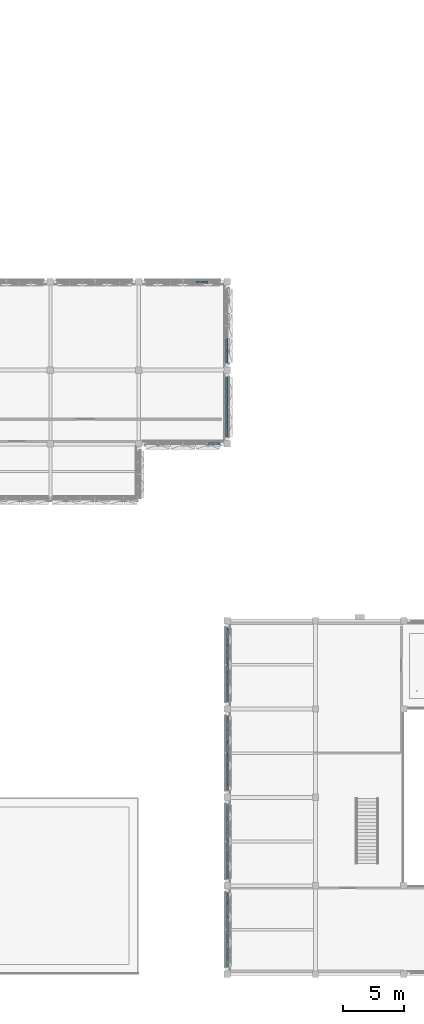
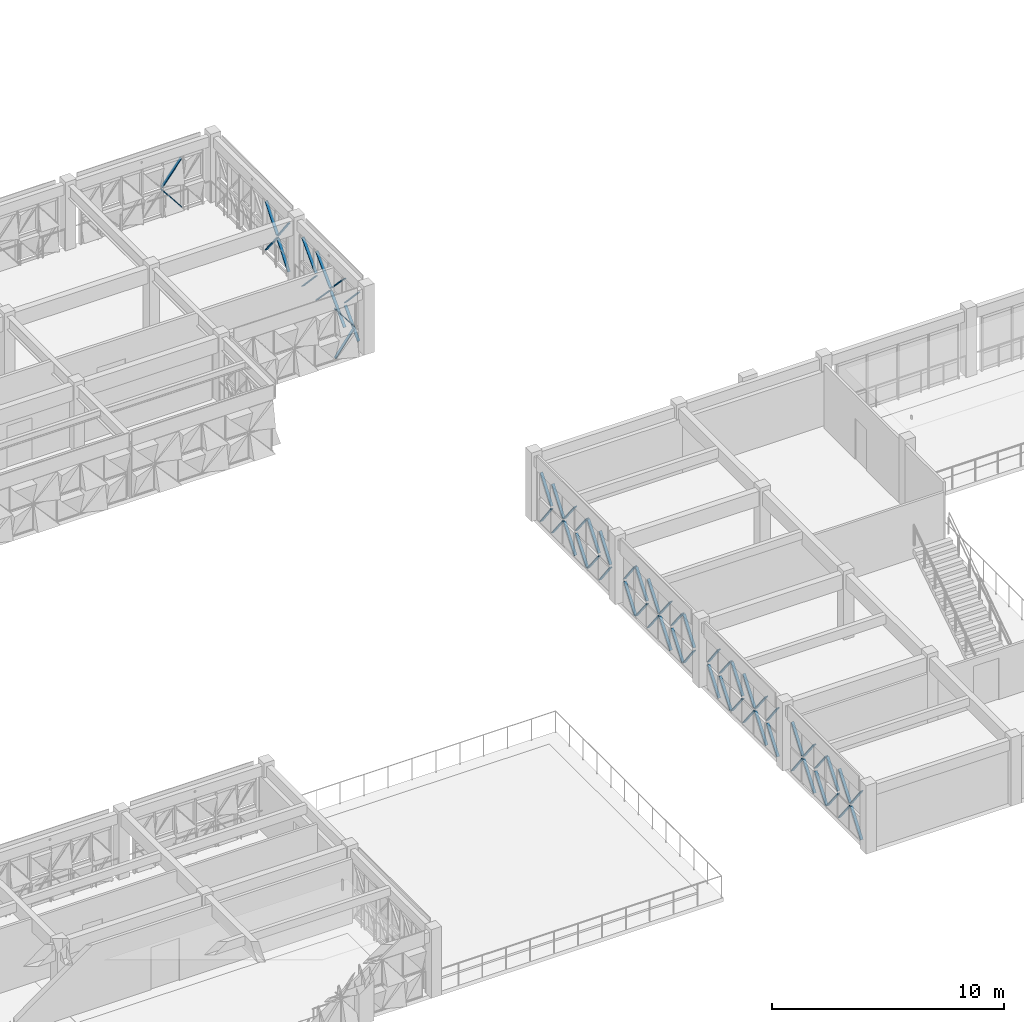
# One storey, part 62 of 99: 64 discrete accessories.
"""IFC4 building model written with IfcOpenShell, lengths in metres."""

from ifc_helpers import new_model, si_unit, direction, frame, origin, origin_2d, place, context, subcontext, project, spatial, rectangle, extrude, material, type_object, element, save


model = new_model("IFC4")

# Units and contexts
model_context = context("Model", 3, precision=1e-05, world=origin(), true_north=direction((0.0, 1.0)))
body_context = subcontext(model_context, "Body", "Model", "MODEL_VIEW")
ifc_project = project(units=[si_unit("LENGTHUNIT", "METRE"), si_unit("AREAUNIT", "SQUARE_METRE"), si_unit("VOLUMEUNIT", "CUBIC_METRE"), si_unit("PLANEANGLEUNIT", "RADIAN"), si_unit("MASSUNIT", "GRAM", prefix="KILO")], contexts=[model_context])

# Site, building, storey
site_placement = place(None, origin())
site = spatial("IfcSite", under=ifc_project, at=site_placement, CompositionType="ELEMENT")
building_placement = place(site_placement, origin())
building = spatial("IfcBuilding", under=site, at=building_placement, Name="Alvorim Cloister Faculty of Sciences", CompositionType="ELEMENT")
storey_placement = place(building_placement, frame((0.0, 0.0, 12.14990234375)))
storey = spatial("IfcBuildingStorey", under=building, at=storey_placement, Name="L03", CompositionType="ELEMENT", Elevation=12.14990234375)

# Discrete accessories
ifc_material = material(Name="Aluminium Alloy 6063-T6", Category="aluminium")
discrete_accessory_type = type_object("IfcDiscreteAccessoryType", Name="ACC-DIAG-BAR", PredefinedType="BRACKET", material=ifc_material)
discrete_accessory_1_placement = place(storey_placement, frame((62.25244140625, 56.37744140625, 1.35498046875), z_axis=(0.618031836495, -0.00647732753, -0.786126385072), x_axis=(0.010479997039, 0.999945083323, 0.0)))
element("IfcDiscreteAccessory", 1, at=discrete_accessory_1_placement, inside=storey, type_object=discrete_accessory_type, Name="Diagonal Cassette Glazing Bracket ACC-01391", PredefinedType="BRACKET", context=body_context, shape_type="SweptSolid", body=[
    extrude(rectangle(XDim=0.139892578125, YDim=0.044921875, at=origin_2d()), origin(), (0.0, 0.0, 1.0), 1.54541015625),
])
discrete_accessory_2_placement = place(storey_placement, frame((62.25244140625, 56.37744140625, 1.4951171875), z_axis=(0.617955086572, -0.006476523147, 0.786186724404), x_axis=(0.010479997039, 0.999945083323, 0.0)))
element("IfcDiscreteAccessory", 2, at=discrete_accessory_2_placement, inside=storey, type_object=discrete_accessory_type, Name="Diagonal Cassette Glazing Bracket ACC-01392", PredefinedType="BRACKET", context=body_context, shape_type="SweptSolid", body=[
    extrude(rectangle(XDim=0.139892578125, YDim=0.044921875, at=origin_2d()), origin(), (0.0, 0.0, 1.0), 1.545654296875),
])
discrete_accessory_3_placement = place(storey_placement, frame((64.777587890625, 49.804931640625, 0.14013671875), z_axis=(-0.006561629754, 0.604790215644, 0.796357796519), x_axis=(-0.999941150118, -0.010848792579, 0.0)))
element("IfcDiscreteAccessory", 3, at=discrete_accessory_3_placement, inside=storey, type_object=discrete_accessory_type, Name="Diagonal Cassette Glazing Bracket ACC-01396", PredefinedType="BRACKET", context=body_context, shape_type="SweptSolid", body=[
    extrude(rectangle(XDim=0.139892578125, YDim=0.044921875, at=origin_2d()), origin(), (0.0, 0.0, 1.0), 1.525390625),
])
discrete_accessory_4_placement = place(storey_placement, frame((64.777587890625, 49.804931640625, 2.710205078125), z_axis=(-0.006560793558, 0.604713142785, -0.796416330151), x_axis=(-0.999941150118, -0.010848792579, 0.0)))
element("IfcDiscreteAccessory", 4, at=discrete_accessory_4_placement, inside=storey, type_object=discrete_accessory_type, Name="Diagonal Cassette Glazing Bracket ACC-01397", PredefinedType="BRACKET", context=body_context, shape_type="SweptSolid", body=[
    extrude(rectangle(XDim=0.139892578125, YDim=0.044921875, at=origin_2d()), origin(), (0.0, 0.0, 1.0), 1.525634765625),
])
discrete_accessory_5_placement = place(storey_placement, frame((64.777587890625, 50.79248046875, 1.35498046875), z_axis=(-0.00647732753, 0.618031836495, -0.786126385072), x_axis=(-0.999945083323, -0.010479997039, 0.0)))
element("IfcDiscreteAccessory", 5, at=discrete_accessory_5_placement, inside=storey, type_object=discrete_accessory_type, Name="Diagonal Cassette Glazing Bracket ACC-01398", PredefinedType="BRACKET", context=body_context, shape_type="SweptSolid", body=[
    extrude(rectangle(XDim=0.139892578125, YDim=0.044921875, at=origin_2d()), origin(), (0.0, 0.0, 1.0), 1.54541015625),
])
discrete_accessory_6_placement = place(storey_placement, frame((64.777587890625, 50.79248046875, 1.4951171875), z_axis=(-0.006476523147, 0.617955086572, 0.786186724404), x_axis=(-0.999945083323, -0.010479997039, 0.0)))
element("IfcDiscreteAccessory", 6, at=discrete_accessory_6_placement, inside=storey, type_object=discrete_accessory_type, Name="Diagonal Cassette Glazing Bracket ACC-01399", PredefinedType="BRACKET", context=body_context, shape_type="SweptSolid", body=[
    extrude(rectangle(XDim=0.139892578125, YDim=0.044921875, at=origin_2d()), origin(), (0.0, 0.0, 1.0), 1.545654296875),
])
discrete_accessory_7_placement = place(storey_placement, frame((64.777587890625, 43.804931640625, 0.14013671875), z_axis=(-0.006026637726, 0.681892009975, 0.731428032256), x_axis=(-0.999960946179, -0.0088377665, 0.0)))
element("IfcDiscreteAccessory", 7, at=discrete_accessory_7_placement, inside=storey, type_object=discrete_accessory_type, Name="Diagonal Cassette Glazing Bracket ACC-01409", PredefinedType="BRACKET", context=body_context, shape_type="SweptSolid", body=[
    extrude(rectangle(XDim=0.139892578125, YDim=0.044921875, at=origin_2d()), origin(), (0.0, 0.0, 1.0), 1.660888671875),
])
discrete_accessory_8_placement = place(storey_placement, frame((64.777587890625, 43.804931640625, 2.710205078125), z_axis=(-0.00602598982, 0.681818701864, -0.731496374041), x_axis=(-0.999960946179, -0.0088377665, 0.0)))
element("IfcDiscreteAccessory", 8, at=discrete_accessory_8_placement, inside=storey, type_object=discrete_accessory_type, Name="Diagonal Cassette Glazing Bracket ACC-01410", PredefinedType="BRACKET", context=body_context, shape_type="SweptSolid", body=[
    extrude(rectangle(XDim=0.139892578125, YDim=0.044921875, at=origin_2d()), origin(), (0.0, 0.0, 1.0), 1.6611328125),
])
for number, where, z_axis, x_axis, name in (
    (9, (64.777587890625, 45.00244140625, 0.14013671875), (-0.005946762236, 0.692145107094, 0.721733875293), (-0.999963092655, -0.008591468315, 0.0), "Diagonal Cassette Glazing Bracket ACC-01411"),
    (10, (64.777587890625, 45.00244140625, 2.710205078125), (-0.00594613975, 0.692072655757, -0.721803354506), (-0.999963092655, -0.008591468315, 0.0), "Diagonal Cassette Glazing Bracket ACC-01412"),
    (11, (64.777587890625, 46.232421875, 1.35498046875), (-0.005946762236, 0.692145107094, -0.721733875293), (-0.999963092655, -0.008591468315, 0.0), "Diagonal Cassette Glazing Bracket ACC-01413"),
    (12, (64.777587890625, 46.232421875, 1.4951171875), (-0.00594613975, 0.692072655757, 0.721803354506), (-0.999963092655, -0.008591468315, 0.0), "Diagonal Cassette Glazing Bracket ACC-01414"),
):
    element("IfcDiscreteAccessory", number, at=place(storey_placement, frame(where, z_axis=z_axis, x_axis=x_axis)), inside=storey, type_object=discrete_accessory_type, Name=name, PredefinedType="BRACKET", context=body_context, shape_type="SweptSolid", body=[
        extrude(rectangle(XDim=0.139892578125, YDim=0.044921875, at=origin_2d()), origin(), (0.0, 0.0, 1.0), 1.683349609375),
    ])
discrete_accessory_9_placement = place(storey_placement, frame((64.777587890625, 47.46240234375, 1.35498046875), z_axis=(-0.006026637726, 0.681892009975, -0.731428032256), x_axis=(-0.999960946179, -0.0088377665, 0.0)))
element("IfcDiscreteAccessory", 13, at=discrete_accessory_9_placement, inside=storey, type_object=discrete_accessory_type, Name="Diagonal Cassette Glazing Bracket ACC-01415", PredefinedType="BRACKET", context=body_context, shape_type="SweptSolid", body=[
    extrude(rectangle(XDim=0.139892578125, YDim=0.044921875, at=origin_2d()), origin(), (0.0, 0.0, 1.0), 1.660888671875),
])
discrete_accessory_10_placement = place(storey_placement, frame((64.777587890625, 47.46240234375, 1.4951171875), z_axis=(-0.00602598982, 0.681818701864, 0.731496374041), x_axis=(-0.999960946179, -0.0088377665, 0.0)))
element("IfcDiscreteAccessory", 14, at=discrete_accessory_10_placement, inside=storey, type_object=discrete_accessory_type, Name="Diagonal Cassette Glazing Bracket ACC-01416", PredefinedType="BRACKET", context=body_context, shape_type="SweptSolid", body=[
    extrude(rectangle(XDim=0.139892578125, YDim=0.044921875, at=origin_2d()), origin(), (0.0, 0.0, 1.0), 1.6611328125),
])
discrete_accessory_11_placement = place(storey_placement, frame((63.2724609375, 43.222412109375, 0.14013671875), z_axis=(0.604790215644, 0.006561629754, 0.796357796519), x_axis=(-0.010848792579, 0.999941150118, 0.0)))
element("IfcDiscreteAccessory", 15, at=discrete_accessory_11_placement, inside=storey, type_object=discrete_accessory_type, Name="Diagonal Cassette Glazing Bracket ACC-01428", PredefinedType="BRACKET", context=body_context, shape_type="SweptSolid", body=[
    extrude(rectangle(XDim=0.139892578125, YDim=0.044921875, at=origin_2d()), origin(), (0.0, 0.0, 1.0), 1.525390625),
])
discrete_accessory_12_placement = place(storey_placement, frame((63.2724609375, 43.222412109375, 2.710205078125), z_axis=(0.604713142785, 0.006560793558, -0.796416330151), x_axis=(-0.010848792579, 0.999941150118, 0.0)))
element("IfcDiscreteAccessory", 16, at=discrete_accessory_12_placement, inside=storey, type_object=discrete_accessory_type, Name="Diagonal Cassette Glazing Bracket ACC-01429", PredefinedType="BRACKET", context=body_context, shape_type="SweptSolid", body=[
    extrude(rectangle(XDim=0.139892578125, YDim=0.044921875, at=origin_2d()), origin(), (0.0, 0.0, 1.0), 1.525634765625),
])
discrete_accessory_13_placement = place(storey_placement, frame((64.822509765625, 0.60498046875, 0.14013671875), z_axis=(0.006561629754, 0.604790215644, 0.796357796519), x_axis=(-0.999941150118, 0.010848792579, 0.0)))
element("IfcDiscreteAccessory", 17, at=discrete_accessory_13_placement, inside=storey, type_object=discrete_accessory_type, Name="Diagonal Cassette Glazing Bracket ACC-01701", PredefinedType="BRACKET", context=body_context, shape_type="SweptSolid", body=[
    extrude(rectangle(XDim=0.139892578125, YDim=0.044921875, at=origin_2d()), origin(), (0.0, 0.0, 1.0), 1.525390625),
])
discrete_accessory_14_placement = place(storey_placement, frame((64.822509765625, 0.60498046875, 2.710205078125), z_axis=(0.006560793558, 0.604713142785, -0.796416330151), x_axis=(-0.999941150118, 0.010848792579, 0.0)))
element("IfcDiscreteAccessory", 18, at=discrete_accessory_14_placement, inside=storey, type_object=discrete_accessory_type, Name="Diagonal Cassette Glazing Bracket ACC-01702", PredefinedType="BRACKET", context=body_context, shape_type="SweptSolid", body=[
    extrude(rectangle(XDim=0.139892578125, YDim=0.044921875, at=origin_2d()), origin(), (0.0, 0.0, 1.0), 1.525634765625),
])
discrete_accessory_15_placement = place(storey_placement, frame((64.822509765625, 1.592529296875, 1.35498046875), z_axis=(0.00647732753, 0.618031836495, -0.786126385072), x_axis=(-0.999945083323, 0.010479997039, 0.0)))
element("IfcDiscreteAccessory", 19, at=discrete_accessory_15_placement, inside=storey, type_object=discrete_accessory_type, Name="Diagonal Cassette Glazing Bracket ACC-01703", PredefinedType="BRACKET", context=body_context, shape_type="SweptSolid", body=[
    extrude(rectangle(XDim=0.139892578125, YDim=0.044921875, at=origin_2d()), origin(), (0.0, 0.0, 1.0), 1.54541015625),
])
discrete_accessory_16_placement = place(storey_placement, frame((64.822509765625, 1.592529296875, 1.4951171875), z_axis=(0.006476523147, 0.617955086572, 0.786186724404), x_axis=(-0.999945083323, 0.010479997039, 0.0)))
element("IfcDiscreteAccessory", 20, at=discrete_accessory_16_placement, inside=storey, type_object=discrete_accessory_type, Name="Diagonal Cassette Glazing Bracket ACC-01704", PredefinedType="BRACKET", context=body_context, shape_type="SweptSolid", body=[
    extrude(rectangle(XDim=0.139892578125, YDim=0.044921875, at=origin_2d()), origin(), (0.0, 0.0, 1.0), 1.545654296875),
])
discrete_accessory_17_placement = place(storey_placement, frame((64.822509765625, 2.612548828125, 1.35498046875), z_axis=(0.006477959981, 0.61793418254, -0.786203143012), x_axis=(-0.999945055239, 0.010482676365, 0.0)))
element("IfcDiscreteAccessory", 21, at=discrete_accessory_17_placement, inside=storey, type_object=discrete_accessory_type, Name="Diagonal Cassette Glazing Bracket ACC-01705", PredefinedType="BRACKET", context=body_context, shape_type="SweptSolid", body=[
    extrude(rectangle(XDim=0.139892578125, YDim=0.044921875, at=origin_2d()), origin(), (0.0, 0.0, 1.0), 1.545166015625),
])
discrete_accessory_18_placement = place(storey_placement, frame((64.822509765625, 2.612548828125, 1.4951171875), z_axis=(0.006477155362, 0.61785742976, 0.786263469168), x_axis=(-0.999945055239, 0.010482676365, 0.0)))
element("IfcDiscreteAccessory", 22, at=discrete_accessory_18_placement, inside=storey, type_object=discrete_accessory_type, Name="Diagonal Cassette Glazing Bracket ACC-01706", PredefinedType="BRACKET", context=body_context, shape_type="SweptSolid", body=[
    extrude(rectangle(XDim=0.139892578125, YDim=0.044921875, at=origin_2d()), origin(), (0.0, 0.0, 1.0), 1.54541015625),
])
discrete_accessory_19_placement = place(storey_placement, frame((64.822509765625, 3.632568359375, 0.14013671875), z_axis=(0.006477959981, 0.61793418254, 0.786203143012), x_axis=(-0.999945055239, 0.010482676365, 0.0)))
element("IfcDiscreteAccessory", 23, at=discrete_accessory_19_placement, inside=storey, type_object=discrete_accessory_type, Name="Diagonal Cassette Glazing Bracket ACC-01707", PredefinedType="BRACKET", context=body_context, shape_type="SweptSolid", body=[
    extrude(rectangle(XDim=0.139892578125, YDim=0.044921875, at=origin_2d()), origin(), (0.0, 0.0, 1.0), 1.545166015625),
])
discrete_accessory_20_placement = place(storey_placement, frame((64.822509765625, 3.632568359375, 2.710205078125), z_axis=(0.006477155362, 0.61785742976, -0.786263469168), x_axis=(-0.999945055239, 0.010482676365, 0.0)))
element("IfcDiscreteAccessory", 24, at=discrete_accessory_20_placement, inside=storey, type_object=discrete_accessory_type, Name="Diagonal Cassette Glazing Bracket ACC-01708", PredefinedType="BRACKET", context=body_context, shape_type="SweptSolid", body=[
    extrude(rectangle(XDim=0.139892578125, YDim=0.044921875, at=origin_2d()), origin(), (0.0, 0.0, 1.0), 1.54541015625),
])
discrete_accessory_21_placement = place(storey_placement, frame((64.822509765625, 4.652587890625, 0.14013671875), z_axis=(0.006477959981, 0.61793418254, 0.786203143012), x_axis=(-0.999945055239, 0.010482676365, 0.0)))
element("IfcDiscreteAccessory", 25, at=discrete_accessory_21_placement, inside=storey, type_object=discrete_accessory_type, Name="Diagonal Cassette Glazing Bracket ACC-01709", PredefinedType="BRACKET", context=body_context, shape_type="SweptSolid", body=[
    extrude(rectangle(XDim=0.139892578125, YDim=0.044921875, at=origin_2d()), origin(), (0.0, 0.0, 1.0), 1.545166015625),
])
discrete_accessory_22_placement = place(storey_placement, frame((64.822509765625, 4.652587890625, 2.710205078125), z_axis=(0.006477155362, 0.61785742976, -0.786263469168), x_axis=(-0.999945055239, 0.010482676365, 0.0)))
element("IfcDiscreteAccessory", 26, at=discrete_accessory_22_placement, inside=storey, type_object=discrete_accessory_type, Name="Diagonal Cassette Glazing Bracket ACC-01710", PredefinedType="BRACKET", context=body_context, shape_type="SweptSolid", body=[
    extrude(rectangle(XDim=0.139892578125, YDim=0.044921875, at=origin_2d()), origin(), (0.0, 0.0, 1.0), 1.54541015625),
])
discrete_accessory_23_placement = place(storey_placement, frame((64.822509765625, 5.672607421875, 1.35498046875), z_axis=(0.006562264866, 0.604688699088, -0.796434877359), x_axis=(-0.999941118963, 0.010851663811, 0.0)))
element("IfcDiscreteAccessory", 27, at=discrete_accessory_23_placement, inside=storey, type_object=discrete_accessory_type, Name="Diagonal Cassette Glazing Bracket ACC-01711", PredefinedType="BRACKET", context=body_context, shape_type="SweptSolid", body=[
    extrude(rectangle(XDim=0.139892578125, YDim=0.044921875, at=origin_2d()), origin(), (0.0, 0.0, 1.0), 1.525390625),
])
discrete_accessory_24_placement = place(storey_placement, frame((64.822509765625, 5.672607421875, 1.4951171875), z_axis=(0.006561428426, 0.604611624251, 0.796493397008), x_axis=(-0.999941118963, 0.010851663811, 0.0)))
element("IfcDiscreteAccessory", 28, at=discrete_accessory_24_placement, inside=storey, type_object=discrete_accessory_type, Name="Diagonal Cassette Glazing Bracket ACC-01712", PredefinedType="BRACKET", context=body_context, shape_type="SweptSolid", body=[
    extrude(rectangle(XDim=0.139892578125, YDim=0.044921875, at=origin_2d()), origin(), (0.0, 0.0, 1.0), 1.525634765625),
])
discrete_accessory_25_placement = place(storey_placement, frame((64.822509765625, 7.804931640625, 0.14013671875), z_axis=(0.006561629754, 0.604790215644, 0.796357796519), x_axis=(-0.999941150118, 0.010848792579, 0.0)))
element("IfcDiscreteAccessory", 29, at=discrete_accessory_25_placement, inside=storey, type_object=discrete_accessory_type, Name="Diagonal Cassette Glazing Bracket ACC-01714", PredefinedType="BRACKET", context=body_context, shape_type="SweptSolid", body=[
    extrude(rectangle(XDim=0.139892578125, YDim=0.044921875, at=origin_2d()), origin(), (0.0, 0.0, 1.0), 1.525390625),
])
discrete_accessory_26_placement = place(storey_placement, frame((64.822509765625, 7.804931640625, 2.710205078125), z_axis=(0.006560793558, 0.604713142785, -0.796416330151), x_axis=(-0.999941150118, 0.010848792579, 0.0)))
element("IfcDiscreteAccessory", 30, at=discrete_accessory_26_placement, inside=storey, type_object=discrete_accessory_type, Name="Diagonal Cassette Glazing Bracket ACC-01715", PredefinedType="BRACKET", context=body_context, shape_type="SweptSolid", body=[
    extrude(rectangle(XDim=0.139892578125, YDim=0.044921875, at=origin_2d()), origin(), (0.0, 0.0, 1.0), 1.525634765625),
])
discrete_accessory_27_placement = place(storey_placement, frame((64.822509765625, 8.79248046875, 0.14013671875), z_axis=(0.00647732753, 0.618031836495, 0.786126385072), x_axis=(-0.999945083323, 0.010479997039, 0.0)))
element("IfcDiscreteAccessory", 31, at=discrete_accessory_27_placement, inside=storey, type_object=discrete_accessory_type, Name="Diagonal Cassette Glazing Bracket ACC-01716", PredefinedType="BRACKET", context=body_context, shape_type="SweptSolid", body=[
    extrude(rectangle(XDim=0.139892578125, YDim=0.044921875, at=origin_2d()), origin(), (0.0, 0.0, 1.0), 1.54541015625),
])
discrete_accessory_28_placement = place(storey_placement, frame((64.822509765625, 8.79248046875, 2.710205078125), z_axis=(0.006476523147, 0.617955086572, -0.786186724404), x_axis=(-0.999945083323, 0.010479997039, 0.0)))
element("IfcDiscreteAccessory", 32, at=discrete_accessory_28_placement, inside=storey, type_object=discrete_accessory_type, Name="Diagonal Cassette Glazing Bracket ACC-01717", PredefinedType="BRACKET", context=body_context, shape_type="SweptSolid", body=[
    extrude(rectangle(XDim=0.139892578125, YDim=0.044921875, at=origin_2d()), origin(), (0.0, 0.0, 1.0), 1.545654296875),
])
discrete_accessory_29_placement = place(storey_placement, frame((64.822509765625, 9.8125, 1.35498046875), z_axis=(0.00647732753, 0.618031836495, -0.786126385072), x_axis=(-0.999945083323, 0.010479997039, 0.0)))
element("IfcDiscreteAccessory", 33, at=discrete_accessory_29_placement, inside=storey, type_object=discrete_accessory_type, Name="Diagonal Cassette Glazing Bracket ACC-01718", PredefinedType="BRACKET", context=body_context, shape_type="SweptSolid", body=[
    extrude(rectangle(XDim=0.139892578125, YDim=0.044921875, at=origin_2d()), origin(), (0.0, 0.0, 1.0), 1.54541015625),
])
discrete_accessory_30_placement = place(storey_placement, frame((64.822509765625, 9.8125, 1.4951171875), z_axis=(0.006476523147, 0.617955086572, 0.786186724404), x_axis=(-0.999945083323, 0.010479997039, 0.0)))
element("IfcDiscreteAccessory", 34, at=discrete_accessory_30_placement, inside=storey, type_object=discrete_accessory_type, Name="Diagonal Cassette Glazing Bracket ACC-01719", PredefinedType="BRACKET", context=body_context, shape_type="SweptSolid", body=[
    extrude(rectangle(XDim=0.139892578125, YDim=0.044921875, at=origin_2d()), origin(), (0.0, 0.0, 1.0), 1.545654296875),
])
discrete_accessory_31_placement = place(storey_placement, frame((64.822509765625, 10.83251953125, 1.35498046875), z_axis=(0.00647732753, 0.618031836495, -0.786126385072), x_axis=(-0.999945083323, 0.010479997039, 0.0)))
element("IfcDiscreteAccessory", 35, at=discrete_accessory_31_placement, inside=storey, type_object=discrete_accessory_type, Name="Diagonal Cassette Glazing Bracket ACC-01720", PredefinedType="BRACKET", context=body_context, shape_type="SweptSolid", body=[
    extrude(rectangle(XDim=0.139892578125, YDim=0.044921875, at=origin_2d()), origin(), (0.0, 0.0, 1.0), 1.54541015625),
])
discrete_accessory_32_placement = place(storey_placement, frame((64.822509765625, 10.83251953125, 1.4951171875), z_axis=(0.006476523147, 0.617955086572, 0.786186724404), x_axis=(-0.999945083323, 0.010479997039, 0.0)))
element("IfcDiscreteAccessory", 36, at=discrete_accessory_32_placement, inside=storey, type_object=discrete_accessory_type, Name="Diagonal Cassette Glazing Bracket ACC-01721", PredefinedType="BRACKET", context=body_context, shape_type="SweptSolid", body=[
    extrude(rectangle(XDim=0.139892578125, YDim=0.044921875, at=origin_2d()), origin(), (0.0, 0.0, 1.0), 1.545654296875),
])
discrete_accessory_33_placement = place(storey_placement, frame((64.822509765625, 11.8525390625, 0.14013671875), z_axis=(0.00647732753, 0.618031836495, 0.786126385072), x_axis=(-0.999945083323, 0.010479997039, 0.0)))
element("IfcDiscreteAccessory", 37, at=discrete_accessory_33_placement, inside=storey, type_object=discrete_accessory_type, Name="Diagonal Cassette Glazing Bracket ACC-01722", PredefinedType="BRACKET", context=body_context, shape_type="SweptSolid", body=[
    extrude(rectangle(XDim=0.139892578125, YDim=0.044921875, at=origin_2d()), origin(), (0.0, 0.0, 1.0), 1.54541015625),
])
discrete_accessory_34_placement = place(storey_placement, frame((64.822509765625, 11.8525390625, 2.710205078125), z_axis=(0.006476523147, 0.617955086572, -0.786186724404), x_axis=(-0.999945083323, 0.010479997039, 0.0)))
element("IfcDiscreteAccessory", 38, at=discrete_accessory_34_placement, inside=storey, type_object=discrete_accessory_type, Name="Diagonal Cassette Glazing Bracket ACC-01723", PredefinedType="BRACKET", context=body_context, shape_type="SweptSolid", body=[
    extrude(rectangle(XDim=0.139892578125, YDim=0.044921875, at=origin_2d()), origin(), (0.0, 0.0, 1.0), 1.545654296875),
])
discrete_accessory_35_placement = place(storey_placement, frame((64.822509765625, 12.87255859375, 0.14013671875), z_axis=(0.006562264866, 0.604688699088, 0.796434877359), x_axis=(-0.999941118963, 0.010851663811, 0.0)))
element("IfcDiscreteAccessory", 39, at=discrete_accessory_35_placement, inside=storey, type_object=discrete_accessory_type, Name="Diagonal Cassette Glazing Bracket ACC-01724", PredefinedType="BRACKET", context=body_context, shape_type="SweptSolid", body=[
    extrude(rectangle(XDim=0.139892578125, YDim=0.044921875, at=origin_2d()), origin(), (0.0, 0.0, 1.0), 1.525390625),
])
discrete_accessory_36_placement = place(storey_placement, frame((64.822509765625, 12.87255859375, 2.710205078125), z_axis=(0.006561428426, 0.604611624251, -0.796493397008), x_axis=(-0.999941118963, 0.010851663811, 0.0)))
element("IfcDiscreteAccessory", 40, at=discrete_accessory_36_placement, inside=storey, type_object=discrete_accessory_type, Name="Diagonal Cassette Glazing Bracket ACC-01725", PredefinedType="BRACKET", context=body_context, shape_type="SweptSolid", body=[
    extrude(rectangle(XDim=0.139892578125, YDim=0.044921875, at=origin_2d()), origin(), (0.0, 0.0, 1.0), 1.525634765625),
])
discrete_accessory_37_placement = place(storey_placement, frame((64.822509765625, 15.0048828125, 1.35498046875), z_axis=(0.006561629754, 0.604790215644, -0.796357796519), x_axis=(-0.999941150118, 0.010848792579, 0.0)))
element("IfcDiscreteAccessory", 41, at=discrete_accessory_37_placement, inside=storey, type_object=discrete_accessory_type, Name="Diagonal Cassette Glazing Bracket ACC-01727", PredefinedType="BRACKET", context=body_context, shape_type="SweptSolid", body=[
    extrude(rectangle(XDim=0.139892578125, YDim=0.044921875, at=origin_2d()), origin(), (0.0, 0.0, 1.0), 1.525390625),
])
discrete_accessory_38_placement = place(storey_placement, frame((64.822509765625, 15.0048828125, 1.4951171875), z_axis=(0.006560793558, 0.604713142785, 0.796416330151), x_axis=(-0.999941150118, 0.010848792579, 0.0)))
element("IfcDiscreteAccessory", 42, at=discrete_accessory_38_placement, inside=storey, type_object=discrete_accessory_type, Name="Diagonal Cassette Glazing Bracket ACC-01728", PredefinedType="BRACKET", context=body_context, shape_type="SweptSolid", body=[
    extrude(rectangle(XDim=0.139892578125, YDim=0.044921875, at=origin_2d()), origin(), (0.0, 0.0, 1.0), 1.525634765625),
])
discrete_accessory_39_placement = place(storey_placement, frame((64.822509765625, 15.992431640625, 0.14013671875), z_axis=(0.00647732753, 0.618031836495, 0.786126385072), x_axis=(-0.999945083323, 0.010479997039, 0.0)))
element("IfcDiscreteAccessory", 43, at=discrete_accessory_39_placement, inside=storey, type_object=discrete_accessory_type, Name="Diagonal Cassette Glazing Bracket ACC-01729", PredefinedType="BRACKET", context=body_context, shape_type="SweptSolid", body=[
    extrude(rectangle(XDim=0.139892578125, YDim=0.044921875, at=origin_2d()), origin(), (0.0, 0.0, 1.0), 1.54541015625),
])
discrete_accessory_40_placement = place(storey_placement, frame((64.822509765625, 15.992431640625, 2.710205078125), z_axis=(0.006476523147, 0.617955086572, -0.786186724404), x_axis=(-0.999945083323, 0.010479997039, 0.0)))
element("IfcDiscreteAccessory", 44, at=discrete_accessory_40_placement, inside=storey, type_object=discrete_accessory_type, Name="Diagonal Cassette Glazing Bracket ACC-01730", PredefinedType="BRACKET", context=body_context, shape_type="SweptSolid", body=[
    extrude(rectangle(XDim=0.139892578125, YDim=0.044921875, at=origin_2d()), origin(), (0.0, 0.0, 1.0), 1.545654296875),
])
discrete_accessory_41_placement = place(storey_placement, frame((64.822509765625, 17.012451171875, 0.14013671875), z_axis=(0.00647732753, 0.618031836495, 0.786126385072), x_axis=(-0.999945083323, 0.010479997039, 0.0)))
element("IfcDiscreteAccessory", 45, at=discrete_accessory_41_placement, inside=storey, type_object=discrete_accessory_type, Name="Diagonal Cassette Glazing Bracket ACC-01731", PredefinedType="BRACKET", context=body_context, shape_type="SweptSolid", body=[
    extrude(rectangle(XDim=0.139892578125, YDim=0.044921875, at=origin_2d()), origin(), (0.0, 0.0, 1.0), 1.54541015625),
])
discrete_accessory_42_placement = place(storey_placement, frame((64.822509765625, 17.012451171875, 2.710205078125), z_axis=(0.006476523147, 0.617955086572, -0.786186724404), x_axis=(-0.999945083323, 0.010479997039, 0.0)))
element("IfcDiscreteAccessory", 46, at=discrete_accessory_42_placement, inside=storey, type_object=discrete_accessory_type, Name="Diagonal Cassette Glazing Bracket ACC-01732", PredefinedType="BRACKET", context=body_context, shape_type="SweptSolid", body=[
    extrude(rectangle(XDim=0.139892578125, YDim=0.044921875, at=origin_2d()), origin(), (0.0, 0.0, 1.0), 1.545654296875),
])
discrete_accessory_43_placement = place(storey_placement, frame((64.822509765625, 18.032470703125, 1.35498046875), z_axis=(0.00647732753, 0.618031836495, -0.786126385072), x_axis=(-0.999945083323, 0.010479997039, 0.0)))
element("IfcDiscreteAccessory", 47, at=discrete_accessory_43_placement, inside=storey, type_object=discrete_accessory_type, Name="Diagonal Cassette Glazing Bracket ACC-01733", PredefinedType="BRACKET", context=body_context, shape_type="SweptSolid", body=[
    extrude(rectangle(XDim=0.139892578125, YDim=0.044921875, at=origin_2d()), origin(), (0.0, 0.0, 1.0), 1.54541015625),
])
discrete_accessory_44_placement = place(storey_placement, frame((64.822509765625, 18.032470703125, 1.4951171875), z_axis=(0.006476523147, 0.617955086572, 0.786186724404), x_axis=(-0.999945083323, 0.010479997039, 0.0)))
element("IfcDiscreteAccessory", 48, at=discrete_accessory_44_placement, inside=storey, type_object=discrete_accessory_type, Name="Diagonal Cassette Glazing Bracket ACC-01734", PredefinedType="BRACKET", context=body_context, shape_type="SweptSolid", body=[
    extrude(rectangle(XDim=0.139892578125, YDim=0.044921875, at=origin_2d()), origin(), (0.0, 0.0, 1.0), 1.545654296875),
])
discrete_accessory_45_placement = place(storey_placement, frame((64.822509765625, 19.052490234375, 1.35498046875), z_axis=(0.00647732753, 0.618031836495, -0.786126385072), x_axis=(-0.999945083323, 0.010479997039, 0.0)))
element("IfcDiscreteAccessory", 49, at=discrete_accessory_45_placement, inside=storey, type_object=discrete_accessory_type, Name="Diagonal Cassette Glazing Bracket ACC-01735", PredefinedType="BRACKET", context=body_context, shape_type="SweptSolid", body=[
    extrude(rectangle(XDim=0.139892578125, YDim=0.044921875, at=origin_2d()), origin(), (0.0, 0.0, 1.0), 1.54541015625),
])
discrete_accessory_46_placement = place(storey_placement, frame((64.822509765625, 19.052490234375, 1.4951171875), z_axis=(0.006476523147, 0.617955086572, 0.786186724404), x_axis=(-0.999945083323, 0.010479997039, 0.0)))
element("IfcDiscreteAccessory", 50, at=discrete_accessory_46_placement, inside=storey, type_object=discrete_accessory_type, Name="Diagonal Cassette Glazing Bracket ACC-01736", PredefinedType="BRACKET", context=body_context, shape_type="SweptSolid", body=[
    extrude(rectangle(XDim=0.139892578125, YDim=0.044921875, at=origin_2d()), origin(), (0.0, 0.0, 1.0), 1.545654296875),
])
discrete_accessory_47_placement = place(storey_placement, frame((64.822509765625, 20.072509765625, 0.14013671875), z_axis=(0.006561629754, 0.604790215644, 0.796357796519), x_axis=(-0.999941150118, 0.010848792579, 0.0)))
element("IfcDiscreteAccessory", 51, at=discrete_accessory_47_placement, inside=storey, type_object=discrete_accessory_type, Name="Diagonal Cassette Glazing Bracket ACC-01737", PredefinedType="BRACKET", context=body_context, shape_type="SweptSolid", body=[
    extrude(rectangle(XDim=0.139892578125, YDim=0.044921875, at=origin_2d()), origin(), (0.0, 0.0, 1.0), 1.525390625),
])
discrete_accessory_48_placement = place(storey_placement, frame((64.822509765625, 20.072509765625, 2.710205078125), z_axis=(0.006560793558, 0.604713142785, -0.796416330151), x_axis=(-0.999941150118, 0.010848792579, 0.0)))
element("IfcDiscreteAccessory", 52, at=discrete_accessory_48_placement, inside=storey, type_object=discrete_accessory_type, Name="Diagonal Cassette Glazing Bracket ACC-01738", PredefinedType="BRACKET", context=body_context, shape_type="SweptSolid", body=[
    extrude(rectangle(XDim=0.139892578125, YDim=0.044921875, at=origin_2d()), origin(), (0.0, 0.0, 1.0), 1.525634765625),
])
discrete_accessory_49_placement = place(storey_placement, frame((64.822509765625, 22.205078125, 1.35498046875), z_axis=(0.006562264866, 0.604688699088, -0.796434877359), x_axis=(-0.999941118963, 0.010851663811, 0.0)))
element("IfcDiscreteAccessory", 53, at=discrete_accessory_49_placement, inside=storey, type_object=discrete_accessory_type, Name="Diagonal Cassette Glazing Bracket ACC-01740", PredefinedType="BRACKET", context=body_context, shape_type="SweptSolid", body=[
    extrude(rectangle(XDim=0.139892578125, YDim=0.044921875, at=origin_2d()), origin(), (0.0, 0.0, 1.0), 1.525390625),
])
discrete_accessory_50_placement = place(storey_placement, frame((64.822509765625, 22.205078125, 1.4951171875), z_axis=(0.006561428426, 0.604611624251, 0.796493397008), x_axis=(-0.999941118963, 0.010851663811, 0.0)))
element("IfcDiscreteAccessory", 54, at=discrete_accessory_50_placement, inside=storey, type_object=discrete_accessory_type, Name="Diagonal Cassette Glazing Bracket ACC-01741", PredefinedType="BRACKET", context=body_context, shape_type="SweptSolid", body=[
    extrude(rectangle(XDim=0.139892578125, YDim=0.044921875, at=origin_2d()), origin(), (0.0, 0.0, 1.0), 1.525634765625),
])
discrete_accessory_51_placement = place(storey_placement, frame((64.822509765625, 23.1923828125, 1.35498046875), z_axis=(0.00647732753, 0.618031836495, -0.786126385072), x_axis=(-0.999945083323, 0.010479997039, 0.0)))
element("IfcDiscreteAccessory", 55, at=discrete_accessory_51_placement, inside=storey, type_object=discrete_accessory_type, Name="Diagonal Cassette Glazing Bracket ACC-01742", PredefinedType="BRACKET", context=body_context, shape_type="SweptSolid", body=[
    extrude(rectangle(XDim=0.139892578125, YDim=0.044921875, at=origin_2d()), origin(), (0.0, 0.0, 1.0), 1.54541015625),
])
discrete_accessory_52_placement = place(storey_placement, frame((64.822509765625, 23.1923828125, 1.4951171875), z_axis=(0.006476523147, 0.617955086572, 0.786186724404), x_axis=(-0.999945083323, 0.010479997039, 0.0)))
element("IfcDiscreteAccessory", 56, at=discrete_accessory_52_placement, inside=storey, type_object=discrete_accessory_type, Name="Diagonal Cassette Glazing Bracket ACC-01743", PredefinedType="BRACKET", context=body_context, shape_type="SweptSolid", body=[
    extrude(rectangle(XDim=0.139892578125, YDim=0.044921875, at=origin_2d()), origin(), (0.0, 0.0, 1.0), 1.545654296875),
])
discrete_accessory_53_placement = place(storey_placement, frame((64.822509765625, 24.21240234375, 0.14013671875), z_axis=(0.00647732753, 0.618031836495, 0.786126385072), x_axis=(-0.999945083323, 0.010479997039, 0.0)))
element("IfcDiscreteAccessory", 57, at=discrete_accessory_53_placement, inside=storey, type_object=discrete_accessory_type, Name="Diagonal Cassette Glazing Bracket ACC-01744", PredefinedType="BRACKET", context=body_context, shape_type="SweptSolid", body=[
    extrude(rectangle(XDim=0.139892578125, YDim=0.044921875, at=origin_2d()), origin(), (0.0, 0.0, 1.0), 1.54541015625),
])
discrete_accessory_54_placement = place(storey_placement, frame((64.822509765625, 24.21240234375, 2.710205078125), z_axis=(0.006476523147, 0.617955086572, -0.786186724404), x_axis=(-0.999945083323, 0.010479997039, 0.0)))
element("IfcDiscreteAccessory", 58, at=discrete_accessory_54_placement, inside=storey, type_object=discrete_accessory_type, Name="Diagonal Cassette Glazing Bracket ACC-01745", PredefinedType="BRACKET", context=body_context, shape_type="SweptSolid", body=[
    extrude(rectangle(XDim=0.139892578125, YDim=0.044921875, at=origin_2d()), origin(), (0.0, 0.0, 1.0), 1.545654296875),
])
discrete_accessory_55_placement = place(storey_placement, frame((64.822509765625, 25.232421875, 0.14013671875), z_axis=(0.00647732753, 0.618031836495, 0.786126385072), x_axis=(-0.999945083323, 0.010479997039, 0.0)))
element("IfcDiscreteAccessory", 59, at=discrete_accessory_55_placement, inside=storey, type_object=discrete_accessory_type, Name="Diagonal Cassette Glazing Bracket ACC-01746", PredefinedType="BRACKET", context=body_context, shape_type="SweptSolid", body=[
    extrude(rectangle(XDim=0.139892578125, YDim=0.044921875, at=origin_2d()), origin(), (0.0, 0.0, 1.0), 1.54541015625),
])
discrete_accessory_56_placement = place(storey_placement, frame((64.822509765625, 25.232421875, 2.710205078125), z_axis=(0.006476523147, 0.617955086572, -0.786186724404), x_axis=(-0.999945083323, 0.010479997039, 0.0)))
element("IfcDiscreteAccessory", 60, at=discrete_accessory_56_placement, inside=storey, type_object=discrete_accessory_type, Name="Diagonal Cassette Glazing Bracket ACC-01747", PredefinedType="BRACKET", context=body_context, shape_type="SweptSolid", body=[
    extrude(rectangle(XDim=0.139892578125, YDim=0.044921875, at=origin_2d()), origin(), (0.0, 0.0, 1.0), 1.545654296875),
])
discrete_accessory_57_placement = place(storey_placement, frame((64.822509765625, 26.25244140625, 1.35498046875), z_axis=(0.00647732753, 0.618031836495, -0.786126385072), x_axis=(-0.999945083323, 0.010479997039, 0.0)))
element("IfcDiscreteAccessory", 61, at=discrete_accessory_57_placement, inside=storey, type_object=discrete_accessory_type, Name="Diagonal Cassette Glazing Bracket ACC-01748", PredefinedType="BRACKET", context=body_context, shape_type="SweptSolid", body=[
    extrude(rectangle(XDim=0.139892578125, YDim=0.044921875, at=origin_2d()), origin(), (0.0, 0.0, 1.0), 1.54541015625),
])
discrete_accessory_58_placement = place(storey_placement, frame((64.822509765625, 26.25244140625, 1.4951171875), z_axis=(0.006476523147, 0.617955086572, 0.786186724404), x_axis=(-0.999945083323, 0.010479997039, 0.0)))
element("IfcDiscreteAccessory", 62, at=discrete_accessory_58_placement, inside=storey, type_object=discrete_accessory_type, Name="Diagonal Cassette Glazing Bracket ACC-01749", PredefinedType="BRACKET", context=body_context, shape_type="SweptSolid", body=[
    extrude(rectangle(XDim=0.139892578125, YDim=0.044921875, at=origin_2d()), origin(), (0.0, 0.0, 1.0), 1.545654296875),
])
discrete_accessory_59_placement = place(storey_placement, frame((64.822509765625, 27.2724609375, 1.35498046875), z_axis=(0.006561629754, 0.604790215644, -0.796357796519), x_axis=(-0.999941150118, 0.010848792579, 0.0)))
element("IfcDiscreteAccessory", 63, at=discrete_accessory_59_placement, inside=storey, type_object=discrete_accessory_type, Name="Diagonal Cassette Glazing Bracket ACC-01750", PredefinedType="BRACKET", context=body_context, shape_type="SweptSolid", body=[
    extrude(rectangle(XDim=0.139892578125, YDim=0.044921875, at=origin_2d()), origin(), (0.0, 0.0, 1.0), 1.525390625),
])
discrete_accessory_60_placement = place(storey_placement, frame((64.822509765625, 27.2724609375, 1.4951171875), z_axis=(0.006560793558, 0.604713142785, 0.796416330151), x_axis=(-0.999941150118, 0.010848792579, 0.0)))
element("IfcDiscreteAccessory", 64, at=discrete_accessory_60_placement, inside=storey, type_object=discrete_accessory_type, Name="Diagonal Cassette Glazing Bracket ACC-01751", PredefinedType="BRACKET", context=body_context, shape_type="SweptSolid", body=[
    extrude(rectangle(XDim=0.139892578125, YDim=0.044921875, at=origin_2d()), origin(), (0.0, 0.0, 1.0), 1.525634765625),
])

save(model, "model.ifc")
